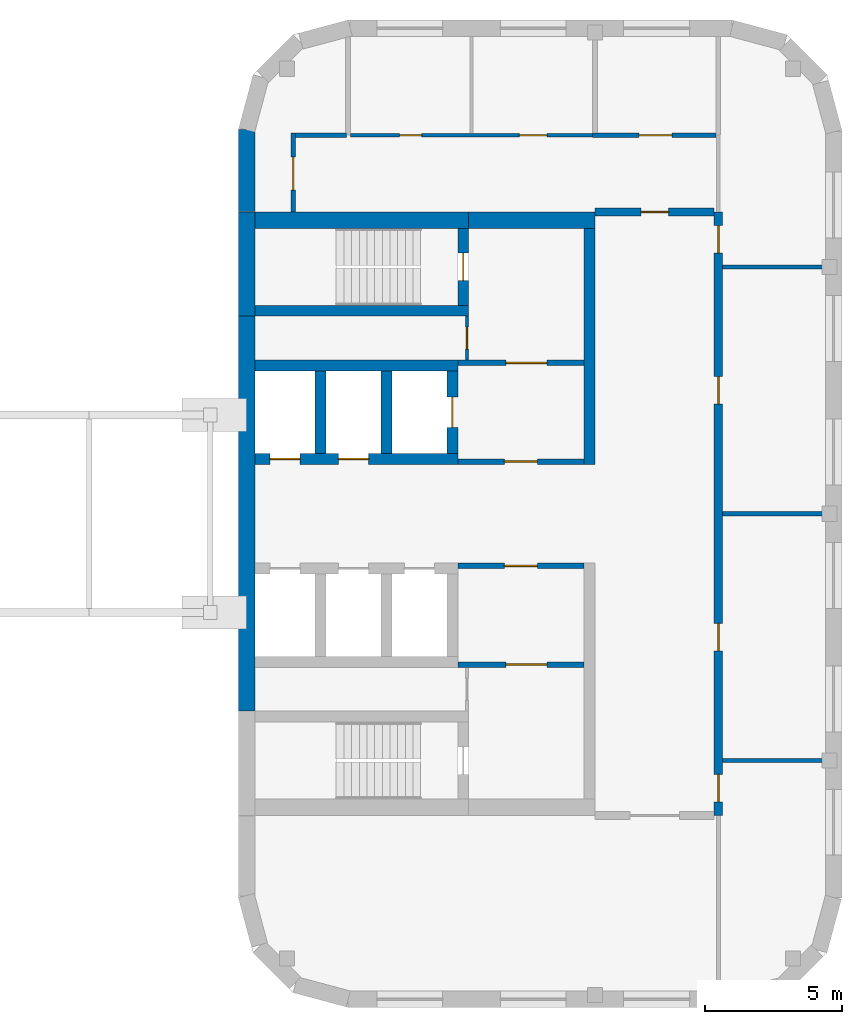
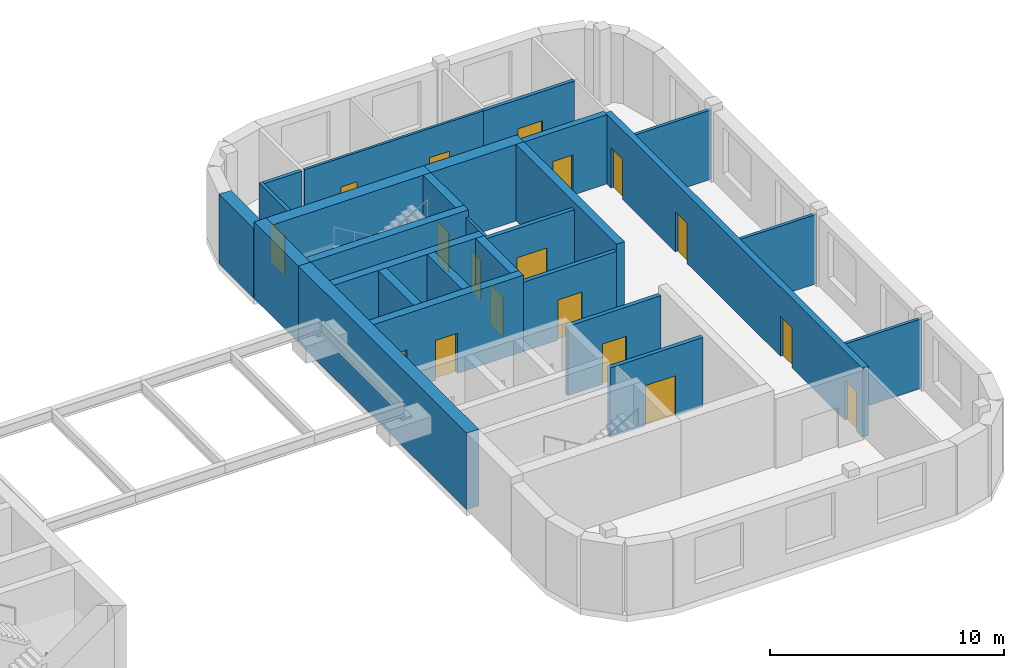
# One storey, part 8 of 14: 27 walls, 18 doors, 18 openings.
"""IFC4 building model written with IfcOpenShell, lengths in metres."""

import ifcopenshell
import ifcopenshell.guid

model = None  # the IFC model being written
_history = None  # IfcOwnerHistory: only IFC2X3 demands one
_inside = {}  # id of a spatial element -> (the spatial element, [elements in it])
_under = {}  # id of a project, library or spatial element -> (it, [spatial elements below it])
_declared = {}  # id of a project -> (the project, [libraries it declares])
_typed = {}  # id of a type object -> (the type object, [elements of that type])
_made_of = {}  # id of a material, layer set ... -> (it, [elements and type objects made of it])


def new_model(schema):
    """Start an empty IFC model of exactly this schema.

    Asked for "IFC4X3", IfcOpenShell would pick the latest addendum, in which some entities
    have other attributes; the version numbers below select the first issue.
    IFC2X3 requires an IfcOwnerHistory on every rooted entity: one is made here for all.
    """
    global model, _history
    if schema == "IFC4X3":
        model = ifcopenshell.file(schema_version=(4, 3, 0, 0))
    else:
        model = ifcopenshell.file(schema=schema)
    _inside.clear()
    _under.clear()
    _declared.clear()
    _typed.clear()
    _made_of.clear()
    _history = None
    if model.schema == "IFC2X3":
        org = make("IfcOrganization", Name="unknown")
        user = make(
            "IfcPersonAndOrganization",
            ThePerson=make("IfcPerson", FamilyName="unknown"),
            TheOrganization=org,
        )
        app = make(
            "IfcApplication",
            ApplicationDeveloper=org,
            Version="unknown",
            ApplicationFullName="unknown",
            ApplicationIdentifier="unknown",
        )
        _history = make(
            "IfcOwnerHistory",
            OwningUser=user,
            OwningApplication=app,
            ChangeAction="ADDED",
            CreationDate=0,
        )
    return model


def make(cls, **values):
    """One entity of the class cls with the attributes given. An attribute that is None is left unset."""
    return model.create_entity(
        cls, **{name: value for name, value in values.items() if value is not None}
    )


def rooted(cls, **values):
    """An entity with a GlobalId (a new one), such as an element, a storey or a relation."""
    return make(cls, GlobalId=ifcopenshell.guid.new(), OwnerHistory=_history, **values)


def si_unit(unit_type, name, prefix=None):
    """IfcSIUnit, for example si_unit("LENGTHUNIT", "METRE", prefix="MILLI")."""
    return make("IfcSIUnit", UnitType=unit_type, Prefix=prefix, Name=name)


def assignment(units):
    """IfcUnitAssignment: the units of a project."""
    return None if units is None else make("IfcUnitAssignment", Units=units)


def point(xyz):
    """IfcCartesianPoint."""
    return None if xyz is None else make("IfcCartesianPoint", Coordinates=xyz)


def direction(xyz):
    """IfcDirection."""
    return None if xyz is None else make("IfcDirection", DirectionRatios=xyz)


def frame(location, z_axis=None, x_axis=None):
    """IfcAxis2Placement3D, a coordinate frame: its origin and axes. An axis left out is left unset."""
    return make(
        "IfcAxis2Placement3D",
        Location=point(location),
        Axis=direction(z_axis),
        RefDirection=direction(x_axis),
    )


def frame_2d(location, x_axis=None):
    """IfcAxis2Placement2D, a coordinate frame in the plane: its origin and x axis."""
    return make(
        "IfcAxis2Placement2D", Location=point(location), RefDirection=direction(x_axis)
    )


def origin():
    """The frame at (0, 0, 0) with its axes left unset."""
    return frame((0.0, 0.0, 0.0))


def place(relative_to, where):
    """IfcLocalPlacement: puts the frame where relative to a parent placement (None: the world)."""
    return make(
        "IfcLocalPlacement", PlacementRelTo=relative_to, RelativePlacement=where
    )


def context(
    kind, dimensions, precision=None, world=None, true_north=None, identifier=None
):
    """IfcGeometricRepresentationContext, for example the 3D "Model" context."""
    return make(
        "IfcGeometricRepresentationContext",
        ContextIdentifier=identifier,
        ContextType=kind,
        CoordinateSpaceDimension=dimensions,
        Precision=precision,
        WorldCoordinateSystem=world,
        TrueNorth=true_north,
    )


def subcontext(parent, identifier, kind, view, scale=None):
    """IfcGeometricRepresentationSubContext, for example "Body" below "Model"."""
    return make(
        "IfcGeometricRepresentationSubContext",
        ContextIdentifier=identifier,
        ContextType=kind,
        ParentContext=parent,
        TargetScale=scale,
        TargetView=view,
    )


def project(units=None, contexts=None):
    """IfcProject with its units and contexts."""
    return rooted(
        "IfcProject",
        Name="project",
        RepresentationContexts=contexts,
        UnitsInContext=assignment(units),
    )


def spatial(cls, under=None, at=None, **own):
    """A site, building, storey or space (cls), placed at a placement, below another one or the project."""
    s = rooted(cls, ObjectPlacement=at, **own)
    if under is not None:
        _under.setdefault(under.id(), (under, []))[1].append(s)
    return s


def profile(cls, at=None, kind="AREA", **sizes):
    """A parametric profile (cls). Its sizes go by their IFC names, for example OverallWidth=200.0."""
    return make(cls, ProfileType=kind, Position=at, **sizes)


def rectangle(**sizes):
    """IfcRectangleProfileDef."""
    return profile("IfcRectangleProfileDef", **sizes)


def extrude(swept, where, along, depth):
    """IfcExtrudedAreaSolid: the profile swept, set in the frame where, extruded along a direction by depth."""
    return make(
        "IfcExtrudedAreaSolid",
        SweptArea=swept,
        Position=where,
        ExtrudedDirection=direction(along),
        Depth=depth,
    )


def shape(context_of_items, identifier, shape_type, items):
    """IfcShapeRepresentation: the items that make up one representation, for example the "Body"."""
    return make(
        "IfcShapeRepresentation",
        ContextOfItems=context_of_items,
        RepresentationIdentifier=identifier,
        RepresentationType=shape_type,
        Items=items,
    )


def material(Name=None, Category=None):
    """IfcMaterial."""
    return make("IfcMaterial", Name=Name, Category=Category)


def layer(
    of_material, thickness, ventilated=None, Name=None, Category=None, Priority=None
):
    """IfcMaterialLayer: one layer of a wall or slab, of a material (None: an air gap)."""
    return make(
        "IfcMaterialLayer",
        Material=of_material,
        LayerThickness=thickness,
        IsVentilated=ventilated,
        Name=Name,
        Category=Category,
        Priority=Priority,
    )


def layer_set(layers, Name=None):
    """IfcMaterialLayerSet."""
    return make("IfcMaterialLayerSet", MaterialLayers=layers, LayerSetName=Name)


def made_of(thing, what):
    """Note that an element or type object is made of a material, layer set ...; save() writes the relation."""
    if what is not None:
        _made_of.setdefault(what.id(), (what, []))[1].append(thing)
    return thing


def type_object(cls, material=None, **own):
    """A type object (cls), such as IfcWallType, which elements share."""
    return made_of(rooted(cls, **own), material)


def element(
    cls,
    number,
    at=None,
    inside=None,
    cuts=None,
    type_object=None,
    material=None,
    context=None,
    identifier="Body",
    shape_type=None,
    held_by="IfcProductDefinitionShape",
    body=None,
    shapes=None,
    **own,
):
    """One element of the class cls, such as IfcWall. Its Tag is "e" and its number.

    at: its placement. inside: the storey or other place that contains it. cuts: it is an
    opening in that element (IfcRelVoidsElement). A single representation is given by context,
    identifier, shape_type and body (its items); several are given by shapes. held_by: the class
    of the entity that holds the representations. save() writes the other relations.
    """
    e = rooted(cls, Tag="e%d" % number, ObjectPlacement=at, **own)
    if body is not None:
        shapes = [shape(context, identifier, shape_type, body)]
    if shapes is not None:
        e.Representation = make(held_by, Representations=shapes)
    if inside is not None:
        _inside.setdefault(inside.id(), (inside, []))[1].append(e)
    if cuts is not None:
        rooted(
            "IfcRelVoidsElement", RelatingBuildingElement=cuts, RelatedOpeningElement=e
        )
    if type_object is not None:
        _typed.setdefault(type_object.id(), (type_object, []))[1].append(e)
    return made_of(e, material)


def fill(opening, filler):
    """IfcRelFillsElement: the door or window that sits in an opening."""
    return rooted(
        "IfcRelFillsElement",
        RelatingOpeningElement=opening,
        RelatedBuildingElement=filler,
    )


def aggregate(whole, parts):
    """IfcRelAggregates: a whole, such as a stair, and the parts it consists of."""
    return rooted("IfcRelAggregates", RelatingObject=whole, RelatedObjects=parts)


def save(model, path):
    """Write the relations noted so far, then the file.

    IfcRelAggregates (storeys below a building ...), IfcRelContainedInSpatialStructure (elements
    in a storey), IfcRelDefinesByType, IfcRelAssociatesMaterial and IfcRelDeclares: one each for
    every whole, place, type object, material and project.
    """
    for whole, parts in _under.values():
        aggregate(whole, parts)
    for where, things in _inside.values():
        rooted(
            "IfcRelContainedInSpatialStructure",
            RelatedElements=things,
            RelatingStructure=where,
        )
    for kind, things in _typed.values():
        rooted("IfcRelDefinesByType", RelatedObjects=things, RelatingType=kind)
    for what, things in _made_of.values():
        rooted("IfcRelAssociatesMaterial", RelatedObjects=things, RelatingMaterial=what)
    for by, libraries in _declared.values():
        rooted("IfcRelDeclares", RelatingContext=by, RelatedDefinitions=libraries)
    model.write(path)


model = new_model("IFC4")

# Units and contexts
model_context = context("Model", 3, precision=1e-05, world=origin(), true_north=direction((0.0, 1.0)))
body_context = subcontext(model_context, "Body", "Model", "MODEL_VIEW")
ifc_project = project(units=[si_unit("LENGTHUNIT", "METRE"), si_unit("AREAUNIT", "SQUARE_METRE"), si_unit("VOLUMEUNIT", "CUBIC_METRE"), si_unit("PLANEANGLEUNIT", "RADIAN"), si_unit("MASSUNIT", "GRAM", prefix="KILO")], contexts=[model_context])

# Site, building, storey
site_placement = place(None, origin())
site = spatial("IfcSite", under=ifc_project, at=site_placement, CompositionType="ELEMENT")
building_placement = place(site_placement, origin())
building = spatial("IfcBuilding", under=site, at=building_placement, Name="Skarvind Civic Tower", CompositionType="ELEMENT")
storey_placement = place(building_placement, frame((0.0, 0.0, 105.0)))
storey = spatial("IfcBuildingStorey", under=building, at=storey_placement, Name="L24", CompositionType="ELEMENT", Elevation=105.0)

# Wall, opening, door
ifc_material_1 = material(Name="Acoustic gypsum board on steel studs", Category="steel")
ifc_layer_1 = layer(ifc_material_1, 0.175048828125)
ifc_layer_set_1 = layer_set([ifc_layer_1], Name="ACOUSTIC MEETING-ROOM PARTITION 175")
wall_type_1 = type_object("IfcWallType", Name="ACOUSTIC MEETING-ROOM PARTITION 175", PredefinedType="PARTITIONING", material=ifc_layer_set_1)
wall_1_placement = place(storey_placement, frame((129.0, 139.0, 0.0), z_axis=(0.0, 0.0, 1.0), x_axis=(0.0, 1.0, 0.0)))
wall_1 = element("IfcWall", 1, at=wall_1_placement, inside=storey, type_object=wall_type_1, Name="Partition 24.001", PredefinedType="PARTITIONING", context=body_context, shape_type="SweptSolid", body=[
    extrude(rectangle(XDim=2.887939453125, YDim=0.175048828125, at=frame_2d((1.44384765625, 0.0))), origin(), (0.0, 0.0, 1.0), 3.625),
])
opening_1_placement = place(wall_1_placement, frame((0.800048828125, 0.0, 0.0)))
opening_1 = element("IfcOpeningElement", 2, at=opening_1_placement, cuts=wall_1, Name="Opening L24-D110", PredefinedType="OPENING", context=body_context, shape_type="SweptSolid", body=[
    extrude(rectangle(XDim=1.199951171875, YDim=2.10009765625, at=frame_2d((0.60009765625, 1.050048828125))), frame((0.0, 0.097412109375, 0.0), z_axis=(0.0, -1.0, 0.0), x_axis=(1.0, 0.0, 0.0)), (0.0, 0.0, 1.0), 0.195068359375),
])
ifc_material_2 = material(Name="Timber door leaf", Category="wood")
door_type_1 = type_object("IfcDoorType", Name="DOOR 1200X2100 DOUBLE TIMBER", OperationType="NOTDEFINED", PredefinedType="DOOR", material=ifc_material_2)
door_1_placement = place(opening_1_placement, origin())
door_1 = element("IfcDoor", 3, at=door_1_placement, inside=storey, type_object=door_type_1, Name="Door L24-D110", OperationType="DOUBLE_DOOR_SINGLE_SWING", OverallHeight=2.10009765625, OverallWidth=1.199951171875, PredefinedType="DOOR", context=body_context, shape_type="SweptSolid", body=[
    extrude(rectangle(XDim=1.199951171875, YDim=2.10009765625, at=frame_2d((0.60009765625, 1.050048828125))), frame((0.0, 0.02490234375, 0.0), z_axis=(0.0, -1.0, 0.0), x_axis=(1.0, 0.0, 0.0)), (0.0, 0.0, 1.0), 0.050048828125),
])
fill(opening_1, door_1)

# Wall
wall_2_placement = place(storey_placement, frame((129.087890625, 141.800048828125, 0.0), z_axis=(0.0, 0.0, 1.0), x_axis=(1.0, 0.0, 0.0)))
element("IfcWall", 4, at=wall_2_placement, inside=storey, type_object=wall_type_1, Name="Partition 24.002", PredefinedType="PARTITIONING", context=body_context, shape_type="SweptSolid", body=[
    extrude(rectangle(XDim=1.85302734375, YDim=0.175048828125, at=frame_2d((0.926513671875, 0.0))), origin(), (0.0, 0.0, 1.0), 3.625),
])

# Wall, opening, door
wall_3_placement = place(storey_placement, frame((139.912109375, 141.800048828125, 0.0), z_axis=(0.0, 0.0, 1.0), x_axis=(1.0, 0.0, 0.0)))
wall_3 = element("IfcWall", 5, at=wall_3_placement, inside=storey, type_object=wall_type_1, Name="Partition 24.008", PredefinedType="PARTITIONING", context=body_context, shape_type="SweptSolid", body=[
    extrude(rectangle(XDim=4.5, YDim=0.175048828125, at=frame_2d((2.25, 0.0))), origin(), (0.0, 0.0, 1.0), 3.625),
])
opening_2_placement = place(wall_3_placement, frame((1.7041015625, 0.0, 0.0)))
opening_2 = element("IfcOpeningElement", 6, at=opening_2_placement, cuts=wall_3, Name="Opening L24-D109", PredefinedType="OPENING", context=body_context, shape_type="SweptSolid", body=[
    extrude(rectangle(XDim=1.199951171875, YDim=2.10009765625, at=frame_2d((0.60009765625, 1.050048828125))), frame((0.0, 0.097412109375, 0.0), z_axis=(0.0, -1.0, 0.0), x_axis=(1.0, 0.0, 0.0)), (0.0, 0.0, 1.0), 0.195068359375),
])
door_2_placement = place(opening_2_placement, origin())
door_2 = element("IfcDoor", 7, at=door_2_placement, inside=storey, type_object=door_type_1, Name="Door L24-D109", OperationType="DOUBLE_DOOR_SINGLE_SWING", OverallHeight=2.10009765625, OverallWidth=1.199951171875, PredefinedType="DOOR", context=body_context, shape_type="SweptSolid", body=[
    extrude(rectangle(XDim=1.199951171875, YDim=2.10009765625, at=frame_2d((0.60009765625, 1.050048828125))), frame((0.0, 0.02490234375, 0.0), z_axis=(0.0, -1.0, 0.0), x_axis=(1.0, 0.0, 0.0)), (0.0, 0.0, 1.0), 0.050048828125),
])
fill(opening_2, door_2)

ifc_material_3 = material(Name="Fire-rated gypsum board on steel studs", Category="steel")
ifc_layer_2 = layer(ifc_material_3, 0.300048828125)
ifc_layer_set_2 = layer_set([ifc_layer_2], Name="CORRIDOR WALL 300")
wall_type_2 = type_object("IfcWallType", Name="CORRIDOR WALL 300", PredefinedType="PARTITIONING", material=ifc_layer_set_2)
wall_4_placement = place(storey_placement, frame((144.35009765625, 139.0, 0.0), z_axis=(0.0, 0.0, 1.0), x_axis=(-1.0, 0.0, 0.0)))
wall_4 = element("IfcWall", 8, at=wall_4_placement, inside=storey, type_object=wall_type_2, Name="Partition 24.006", PredefinedType="PARTITIONING", context=body_context, shape_type="SweptSolid", body=[
    extrude(rectangle(XDim=4.35009765625, YDim=0.300048828125, at=frame_2d((2.175048828125, 0.0))), origin(), (0.0, 0.0, 1.0), 3.625),
])
opening_3_placement = place(wall_4_placement, frame((1.66650390625, 0.0, 0.0)))
opening_3 = element("IfcOpeningElement", 9, at=opening_3_placement, cuts=wall_4, Name="Opening L24-D106", PredefinedType="OPENING", context=body_context, shape_type="SweptSolid", body=[
    extrude(rectangle(XDim=1.0, YDim=2.10009765625, at=frame_2d((0.5, 1.050048828125))), frame((0.0, 0.159912109375, 0.0), z_axis=(0.0, -1.0, 0.0), x_axis=(1.0, 0.0, 0.0)), (0.0, 0.0, 1.0), 0.320068359375),
])
ifc_material_4 = material(Name="Fire-rated timber door leaf", Category="wood")
door_type_2 = type_object("IfcDoorType", Name="FD1 1000x2100", OperationType="NOTDEFINED", PredefinedType="DOOR", material=ifc_material_4)
door_3_placement = place(opening_3_placement, origin())
door_3 = element("IfcDoor", 10, at=door_3_placement, inside=storey, type_object=door_type_2, Name="Door L24-D106", OperationType="SINGLE_SWING_LEFT", OverallHeight=2.10009765625, OverallWidth=1.0, PredefinedType="DOOR", context=body_context, shape_type="SweptSolid", body=[
    extrude(rectangle(XDim=1.0, YDim=2.10009765625, at=frame_2d((0.5, 1.050048828125))), frame((0.0, 0.02490234375, 0.0), z_axis=(0.0, -1.0, 0.0), x_axis=(1.0, 0.0, 0.0)), (0.0, 0.0, 1.0), 0.050048828125),
])
fill(opening_3, door_3)

# Wall, openings, doors
wall_5_placement = place(storey_placement, frame((144.5, 139.0, 0.0), z_axis=(0.0, 0.0, 1.0), x_axis=(0.0, -1.0, 0.0)))
wall_5 = element("IfcWall", 11, at=wall_5_placement, inside=storey, type_object=wall_type_2, Name="Partition 24.014", PredefinedType="PARTITIONING", context=body_context, shape_type="SweptSolid", body=[
    extrude(rectangle(XDim=22.0, YDim=0.300048828125, at=frame_2d((11.0, 0.0))), origin(), (0.0, 0.0, 1.0), 3.625),
])
opening_4_placement = place(wall_5_placement, frame((20.50146484375, 0.0, 0.0)))
opening_4 = element("IfcOpeningElement", 12, at=opening_4_placement, cuts=wall_5, Name="Opening L24-D101", PredefinedType="OPENING", context=body_context, shape_type="SweptSolid", body=[
    extrude(rectangle(XDim=1.0, YDim=2.10009765625, at=frame_2d((0.5, 1.050048828125))), frame((0.0, 0.159912109375, 0.0), z_axis=(0.0, -1.0, 0.0), x_axis=(1.0, 0.0, 0.0)), (0.0, 0.0, 1.0), 0.320068359375),
])
opening_5_placement = place(wall_5_placement, frame((15.0, 0.0, 0.0)))
opening_5 = element("IfcOpeningElement", 13, at=opening_5_placement, cuts=wall_5, Name="Opening L24-D102", PredefinedType="OPENING", context=body_context, shape_type="SweptSolid", body=[
    extrude(rectangle(XDim=1.0, YDim=2.10009765625, at=frame_2d((0.5, 1.050048828125))), frame((0.0, 0.159912109375, 0.0), z_axis=(0.0, -1.0, 0.0), x_axis=(1.0, 0.0, 0.0)), (0.0, 0.0, 1.0), 0.320068359375),
])
opening_6_placement = place(wall_5_placement, frame((6.0, 0.0, 0.0)))
opening_6 = element("IfcOpeningElement", 14, at=opening_6_placement, cuts=wall_5, Name="Opening L24-D103", PredefinedType="OPENING", context=body_context, shape_type="SweptSolid", body=[
    extrude(rectangle(XDim=1.0, YDim=2.10009765625, at=frame_2d((0.5, 1.050048828125))), frame((0.0, 0.159912109375, 0.0), z_axis=(0.0, -1.0, 0.0), x_axis=(1.0, 0.0, 0.0)), (0.0, 0.0, 1.0), 0.320068359375),
])
opening_7_placement = place(wall_5_placement, frame((0.49853515625, 0.0, 0.0)))
opening_7 = element("IfcOpeningElement", 15, at=opening_7_placement, cuts=wall_5, Name="Opening L24-D104", PredefinedType="OPENING", context=body_context, shape_type="SweptSolid", body=[
    extrude(rectangle(XDim=1.0, YDim=2.10009765625, at=frame_2d((0.5, 1.050048828125))), frame((0.0, 0.159912109375, 0.0), z_axis=(0.0, -1.0, 0.0), x_axis=(1.0, 0.0, 0.0)), (0.0, 0.0, 1.0), 0.320068359375),
])
door_4_placement = place(opening_4_placement, origin())
door_4 = element("IfcDoor", 16, at=door_4_placement, inside=storey, type_object=door_type_2, Name="Door L24-D101", OperationType="SINGLE_SWING_LEFT", OverallHeight=2.10009765625, OverallWidth=1.0, PredefinedType="DOOR", context=body_context, shape_type="SweptSolid", body=[
    extrude(rectangle(XDim=1.0, YDim=2.10009765625, at=frame_2d((0.5, 1.050048828125))), frame((0.0, 0.02490234375, 0.0), z_axis=(0.0, -1.0, 0.0), x_axis=(1.0, 0.0, 0.0)), (0.0, 0.0, 1.0), 0.050048828125),
])
fill(opening_4, door_4)
door_5_placement = place(opening_5_placement, origin())
door_5 = element("IfcDoor", 17, at=door_5_placement, inside=storey, type_object=door_type_2, Name="Door L24-D102", OperationType="SINGLE_SWING_LEFT", OverallHeight=2.10009765625, OverallWidth=1.0, PredefinedType="DOOR", context=body_context, shape_type="SweptSolid", body=[
    extrude(rectangle(XDim=1.0, YDim=2.10009765625, at=frame_2d((0.5, 1.050048828125))), frame((0.0, 0.02490234375, 0.0), z_axis=(0.0, -1.0, 0.0), x_axis=(1.0, 0.0, 0.0)), (0.0, 0.0, 1.0), 0.050048828125),
])
fill(opening_5, door_5)
door_6_placement = place(opening_6_placement, origin())
door_6 = element("IfcDoor", 18, at=door_6_placement, inside=storey, type_object=door_type_2, Name="Door L24-D103", OperationType="SINGLE_SWING_LEFT", OverallHeight=2.10009765625, OverallWidth=1.0, PredefinedType="DOOR", context=body_context, shape_type="SweptSolid", body=[
    extrude(rectangle(XDim=1.0, YDim=2.10009765625, at=frame_2d((0.5, 1.050048828125))), frame((0.0, 0.02490234375, 0.0), z_axis=(0.0, -1.0, 0.0), x_axis=(1.0, 0.0, 0.0)), (0.0, 0.0, 1.0), 0.050048828125),
])
fill(opening_6, door_6)
door_7_placement = place(opening_7_placement, origin())
door_7 = element("IfcDoor", 19, at=door_7_placement, inside=storey, type_object=door_type_2, Name="Door L24-D104", OperationType="SINGLE_SWING_LEFT", OverallHeight=2.10009765625, OverallWidth=1.0, PredefinedType="DOOR", context=body_context, shape_type="SweptSolid", body=[
    extrude(rectangle(XDim=1.0, YDim=2.10009765625, at=frame_2d((0.5, 1.050048828125))), frame((0.0, 0.02490234375, 0.0), z_axis=(0.0, -1.0, 0.0), x_axis=(1.0, 0.0, 0.0)), (0.0, 0.0, 1.0), 0.050048828125),
])
fill(opening_7, door_7)

# Wall, opening, door
ifc_material_5 = material(Name="Fire-rated masonry partition", Category="masonry")
ifc_layer_3 = layer(ifc_material_5, 0.199951171875)
ifc_layer_set_3 = layer_set([ifc_layer_3], Name="Core enclosure wall 200")
wall_type_3 = type_object("IfcWallType", Name="Core enclosure wall 200", PredefinedType="PARTITIONING", material=ifc_layer_set_3)
wall_6_placement = place(storey_placement, frame((135.0, 129.89990234375, 0.0), z_axis=(0.0, 0.0, 1.0), x_axis=(1.0, 0.0, 0.0)))
wall_6 = element("IfcWall", 20, at=wall_6_placement, inside=storey, type_object=wall_type_3, Name="Core wall CA", PredefinedType="PARTITIONING", context=body_context, shape_type="SweptSolid", body=[
    extrude(rectangle(XDim=4.60009765625, YDim=0.199951171875, at=frame_2d((2.300048828125, 0.0))), origin(), (0.0, 0.0, 1.0), 3.625),
])
opening_8_placement = place(wall_6_placement, frame((1.699951171875, 0.0, 0.0)))
opening_8 = element("IfcOpeningElement", 21, at=opening_8_placement, cuts=wall_6, Name="Opening D-L24-CA-06", PredefinedType="OPENING", context=body_context, shape_type="SweptSolid", body=[
    extrude(rectangle(XDim=1.199951171875, YDim=2.10009765625, at=frame_2d((0.60009765625, 1.050048828125))), frame((0.0, 0.10986328125, 0.0), z_axis=(0.0, -1.0, 0.0), x_axis=(1.0, 0.0, 0.0)), (0.0, 0.0, 1.0), 0.219970703125),
])
ifc_material_6 = material(Name="Fire-rated steel door", Category="steel")
door_type_3 = type_object("IfcDoorType", Name="Core lobby door 1200", OperationType="NOTDEFINED", PredefinedType="DOOR", material=ifc_material_6)
door_8_placement = place(opening_8_placement, origin())
door_8 = element("IfcDoor", 22, at=door_8_placement, inside=storey, type_object=door_type_3, Name="Fire door", OperationType="DOUBLE_DOOR_SINGLE_SWING", OverallHeight=2.10009765625, OverallWidth=1.199951171875, PredefinedType="DOOR", context=body_context, shape_type="SweptSolid", body=[
    extrude(rectangle(XDim=1.199951171875, YDim=2.10009765625, at=frame_2d((0.60009765625, 1.050048828125))), frame((0.0, 0.02490234375, 0.0), z_axis=(0.0, -1.0, 0.0), x_axis=(1.0, 0.0, 0.0)), (0.0, 0.0, 1.0), 0.050048828125),
])
fill(opening_8, door_8)

wall_7_placement = place(storey_placement, frame((135.0, 133.5, 0.0), z_axis=(0.0, 0.0, 1.0), x_axis=(1.0, 0.0, 0.0)))
wall_7 = element("IfcWall", 23, at=wall_7_placement, inside=storey, type_object=wall_type_3, Name="Core wall CA", PredefinedType="PARTITIONING", context=body_context, shape_type="SweptSolid", body=[
    extrude(rectangle(XDim=4.60009765625, YDim=0.199951171875, at=frame_2d((2.300048828125, 0.0))), origin(), (0.0, 0.0, 1.0), 3.625),
])
opening_9_placement = place(wall_7_placement, frame((1.75, 0.0, 0.0)))
opening_9 = element("IfcOpeningElement", 24, at=opening_9_placement, cuts=wall_7, Name="Opening D-L24-CA-07", PredefinedType="OPENING", context=body_context, shape_type="SweptSolid", body=[
    extrude(rectangle(XDim=1.5, YDim=2.10009765625, at=frame_2d((0.75, 1.050048828125))), frame((0.0, 0.10986328125, 0.0), z_axis=(0.0, -1.0, 0.0), x_axis=(1.0, 0.0, 0.0)), (0.0, 0.0, 1.0), 0.219970703125),
])
door_type_4 = type_object("IfcDoorType", Name="Fire door 1500", OperationType="NOTDEFINED", PredefinedType="DOOR", material=ifc_material_6)
door_9_placement = place(opening_9_placement, origin())
door_9 = element("IfcDoor", 25, at=door_9_placement, inside=storey, type_object=door_type_4, Name="Fire door", OperationType="DOUBLE_DOOR_SINGLE_SWING", OverallHeight=2.10009765625, OverallWidth=1.5, PredefinedType="DOOR", context=body_context, shape_type="SweptSolid", body=[
    extrude(rectangle(XDim=1.5, YDim=2.10009765625, at=frame_2d((0.75, 1.050048828125))), frame((0.0, 0.02490234375, 0.0), z_axis=(0.0, -1.0, 0.0), x_axis=(1.0, 0.0, 0.0)), (0.0, 0.0, 1.0), 0.050048828125),
])
fill(opening_9, door_9)

wall_8_placement = place(storey_placement, frame((139.60009765625, 126.10009765625, 0.0), z_axis=(0.0, 0.0, 1.0), x_axis=(-1.0, 0.0, 0.0)))
wall_8 = element("IfcWall", 26, at=wall_8_placement, inside=storey, type_object=wall_type_3, Name="Core wall CA", PredefinedType="PARTITIONING", context=body_context, shape_type="SweptSolid", body=[
    extrude(rectangle(XDim=4.60009765625, YDim=0.199951171875, at=frame_2d((2.300048828125, 0.0))), origin(), (0.0, 0.0, 1.0), 3.625),
])
opening_10_placement = place(wall_8_placement, frame((1.699951171875, 0.0, 0.0)))
opening_10 = element("IfcOpeningElement", 27, at=opening_10_placement, cuts=wall_8, Name="Opening D-L24-CA-10", PredefinedType="OPENING", context=body_context, shape_type="SweptSolid", body=[
    extrude(rectangle(XDim=1.199951171875, YDim=2.10009765625, at=frame_2d((0.60009765625, 1.050048828125))), frame((0.0, 0.10986328125, 0.0), z_axis=(0.0, -1.0, 0.0), x_axis=(1.0, 0.0, 0.0)), (0.0, 0.0, 1.0), 0.219970703125),
])
door_10_placement = place(opening_10_placement, origin())
door_10 = element("IfcDoor", 28, at=door_10_placement, inside=storey, type_object=door_type_3, Name="Fire door", OperationType="DOUBLE_DOOR_SINGLE_SWING", OverallHeight=2.10009765625, OverallWidth=1.199951171875, PredefinedType="DOOR", context=body_context, shape_type="SweptSolid", body=[
    extrude(rectangle(XDim=1.199951171875, YDim=2.10009765625, at=frame_2d((0.60009765625, 1.050048828125))), frame((0.0, 0.02490234375, 0.0), z_axis=(0.0, -1.0, 0.0), x_axis=(1.0, 0.0, 0.0)), (0.0, 0.0, 1.0), 0.050048828125),
])
fill(opening_10, door_10)

wall_9_placement = place(storey_placement, frame((139.60009765625, 122.5, 0.0), z_axis=(0.0, 0.0, 1.0), x_axis=(-1.0, 0.0, 0.0)))
wall_9 = element("IfcWall", 29, at=wall_9_placement, inside=storey, type_object=wall_type_3, Name="Core wall CA", PredefinedType="PARTITIONING", context=body_context, shape_type="SweptSolid", body=[
    extrude(rectangle(XDim=4.60009765625, YDim=0.199951171875, at=frame_2d((2.300048828125, 0.0))), origin(), (0.0, 0.0, 1.0), 3.625),
])
opening_11_placement = place(wall_9_placement, frame((1.35009765625, 0.0, 0.0)))
opening_11 = element("IfcOpeningElement", 30, at=opening_11_placement, cuts=wall_9, Name="Opening D-L24-CA-11", PredefinedType="OPENING", context=body_context, shape_type="SweptSolid", body=[
    extrude(rectangle(XDim=1.5, YDim=2.10009765625, at=frame_2d((0.75, 1.050048828125))), frame((0.0, 0.10986328125, 0.0), z_axis=(0.0, -1.0, 0.0), x_axis=(1.0, 0.0, 0.0)), (0.0, 0.0, 1.0), 0.219970703125),
])
door_11_placement = place(opening_11_placement, origin())
door_11 = element("IfcDoor", 31, at=door_11_placement, inside=storey, type_object=door_type_4, Name="Fire door", OperationType="DOUBLE_DOOR_SINGLE_SWING", OverallHeight=2.10009765625, OverallWidth=1.5, PredefinedType="DOOR", context=body_context, shape_type="SweptSolid", body=[
    extrude(rectangle(XDim=1.5, YDim=2.10009765625, at=frame_2d((0.75, 1.050048828125))), frame((0.0, 0.02490234375, 0.0), z_axis=(0.0, -1.0, 0.0), x_axis=(1.0, 0.0, 0.0)), (0.0, 0.0, 1.0), 0.050048828125),
])
fill(opening_11, door_11)

# Wall
ifc_material_7 = material(Name="Concrete C80", Category="concrete")
ifc_layer_4 = layer(ifc_material_7, 0.39990234375)
ifc_layer_set_4 = layer_set([ifc_layer_4], Name="Core wall 400 C80")
wall_type_4 = type_object("IfcWallType", Name="Core wall 400 C80", PredefinedType="SHEAR", material=ifc_layer_set_4)
wall_10_placement = place(storey_placement, frame((127.60009765625, 135.39990234375, 0.0), z_axis=(0.0, 0.0, 1.0), x_axis=(1.0, 0.0, 0.0)))
element("IfcWall", 32, at=wall_10_placement, inside=storey, type_object=wall_type_4, Name="Core wall CA north stair inner L24", PredefinedType="SHEAR", context=body_context, shape_type="SweptSolid", body=[
    extrude(rectangle(XDim=7.7998046875, YDim=0.39990234375, at=frame_2d((3.89990234375, 0.0))), origin(), (0.0, 0.0, 1.0), 4.0),
])

# Wall, opening, door
wall_11_placement = place(storey_placement, frame((135.199951171875, 135.60009765625, 0.0), z_axis=(0.0, 0.0, 1.0), x_axis=(0.0, 1.0, 0.0)))
wall_11 = element("IfcWall", 33, at=wall_11_placement, inside=storey, type_object=wall_type_4, Name="Core wall CA north stair end L24", PredefinedType="SHEAR", context=body_context, shape_type="SweptSolid", body=[
    extrude(rectangle(XDim=2.7998046875, YDim=0.39990234375, at=frame_2d((1.39990234375, 0.0))), origin(), (0.0, 0.0, 1.0), 4.0),
])
opening_12_placement = place(wall_11_placement, frame((0.89990234375, 0.0, 0.0)))
opening_12 = element("IfcOpeningElement", 34, at=opening_12_placement, cuts=wall_11, Name="Opening D-L24-CA-08", PredefinedType="OPENING", context=body_context, shape_type="SweptSolid", body=[
    extrude(rectangle(XDim=1.0, YDim=2.10009765625, at=frame_2d((0.5, 1.050048828125))), frame((0.0, 0.2099609375, 0.0), z_axis=(0.0, -1.0, 0.0), x_axis=(1.0, 0.0, 0.0)), (0.0, 0.0, 1.0), 0.419921875),
])
door_type_5 = type_object("IfcDoorType", Name="Fire door 1000", OperationType="NOTDEFINED", PredefinedType="DOOR", material=ifc_material_6)
door_12_placement = place(opening_12_placement, origin())
door_12 = element("IfcDoor", 35, at=door_12_placement, inside=storey, type_object=door_type_5, Name="Fire door", OperationType="SINGLE_SWING_LEFT", OverallHeight=2.10009765625, OverallWidth=1.0, PredefinedType="DOOR", context=body_context, shape_type="SweptSolid", body=[
    extrude(rectangle(XDim=1.0, YDim=2.10009765625, at=frame_2d((0.5, 1.050048828125))), frame((0.0, 0.02490234375, 0.0), z_axis=(0.0, -1.0, 0.0), x_axis=(1.0, 0.0, 0.0)), (0.0, 0.0, 1.0), 0.050048828125),
])
fill(opening_12, door_12)

# Wall, openings, doors
wall_12_placement = place(storey_placement, frame((127.60009765625, 130.0, 0.0), z_axis=(0.0, 0.0, 1.0), x_axis=(1.0, 0.0, 0.0)))
wall_12 = element("IfcWall", 36, at=wall_12_placement, inside=storey, type_object=wall_type_4, Name="Core wall CA north lift row front L24", PredefinedType="SHEAR", context=body_context, shape_type="SweptSolid", body=[
    extrude(rectangle(XDim=7.39990234375, YDim=0.39990234375, at=frame_2d((3.699951171875, 0.0))), origin(), (0.0, 0.0, 1.0), 4.0),
])
opening_13_placement = place(wall_12_placement, frame((0.550048828125, 0.0, 0.0)))
opening_13 = element("IfcOpeningElement", 37, at=opening_13_placement, cuts=wall_12, Name="Opening LD26301", PredefinedType="OPENING", context=body_context, shape_type="SweptSolid", body=[
    extrude(rectangle(XDim=1.10009765625, YDim=2.10009765625, at=frame_2d((0.550048828125, 1.050048828125))), frame((0.0, 0.2099609375, 0.0), z_axis=(0.0, -1.0, 0.0), x_axis=(1.0, 0.0, 0.0)), (0.0, 0.0, 1.0), 0.419921875),
])
opening_14_placement = place(wall_12_placement, frame((3.050048828125, 0.0, 0.0)))
opening_14 = element("IfcOpeningElement", 38, at=opening_14_placement, cuts=wall_12, Name="Opening LD26302", PredefinedType="OPENING", context=body_context, shape_type="SweptSolid", body=[
    extrude(rectangle(XDim=1.10009765625, YDim=2.10009765625, at=frame_2d((0.550048828125, 1.050048828125))), frame((0.0, 0.2099609375, 0.0), z_axis=(0.0, -1.0, 0.0), x_axis=(1.0, 0.0, 0.0)), (0.0, 0.0, 1.0), 0.419921875),
])
ifc_material_8 = material(Name="Stainless steel landing door", Category="steel")
door_type_6 = type_object("IfcDoorType", Name="Lift landing door 1100", OperationType="DOUBLE_DOOR_SLIDING", PredefinedType="DOOR", material=ifc_material_8)
door_13_placement = place(opening_13_placement, origin())
door_13 = element("IfcDoor", 39, at=door_13_placement, inside=storey, type_object=door_type_6, Name="Lift landing door", OperationType="DOUBLE_DOOR_SLIDING", OverallHeight=2.10009765625, OverallWidth=1.10009765625, PredefinedType="DOOR", context=body_context, shape_type="SweptSolid", body=[
    extrude(rectangle(XDim=1.10009765625, YDim=2.10009765625, at=frame_2d((0.550048828125, 1.050048828125))), frame((0.0, 0.02490234375, 0.0), z_axis=(0.0, -1.0, 0.0), x_axis=(1.0, 0.0, 0.0)), (0.0, 0.0, 1.0), 0.050048828125),
])
fill(opening_13, door_13)
door_14_placement = place(opening_14_placement, origin())
door_14 = element("IfcDoor", 40, at=door_14_placement, inside=storey, type_object=door_type_6, Name="Lift landing door", OperationType="DOUBLE_DOOR_SLIDING", OverallHeight=2.10009765625, OverallWidth=1.10009765625, PredefinedType="DOOR", context=body_context, shape_type="SweptSolid", body=[
    extrude(rectangle(XDim=1.10009765625, YDim=2.10009765625, at=frame_2d((0.550048828125, 1.050048828125))), frame((0.0, 0.02490234375, 0.0), z_axis=(0.0, -1.0, 0.0), x_axis=(1.0, 0.0, 0.0)), (0.0, 0.0, 1.0), 0.050048828125),
])
fill(opening_14, door_14)

# Walls
wall_13_placement = place(storey_placement, frame((127.60009765625, 133.39990234375, 0.0), z_axis=(0.0, 0.0, 1.0), x_axis=(1.0, 0.0, 0.0)))
element("IfcWall", 41, at=wall_13_placement, inside=storey, type_object=wall_type_4, Name="Core wall CA north lift row back L24", PredefinedType="SHEAR", context=body_context, shape_type="SweptSolid", body=[
    extrude(rectangle(XDim=7.39990234375, YDim=0.39990234375, at=frame_2d((3.699951171875, 0.0))), origin(), (0.0, 0.0, 1.0), 4.0),
])
for number, where, z_axis, x_axis, name in (
    (42, (130.0, 130.199951171875, 0.0), (0.0, 0.0, 1.0), (0.0, 1.0, 0.0), "Core wall CA north lift row division 1 L24"),
    (43, (132.39990234375, 130.199951171875, 0.0), (0.0, 0.0, 1.0), (0.0, 1.0, 0.0), "Core wall CA north lift row division 2 L24"),
):
    element("IfcWall", number, at=place(storey_placement, frame(where, z_axis=z_axis, x_axis=x_axis)), inside=storey, type_object=wall_type_4, Name=name, PredefinedType="SHEAR", context=body_context, shape_type="SweptSolid", body=[
        extrude(rectangle(XDim=3.0, YDim=0.39990234375, at=frame_2d((1.5, 0.0))), origin(), (0.0, 0.0, 1.0), 4.0),
    ])

# Wall, opening, door
wall_14_placement = place(storey_placement, frame((134.800048828125, 130.199951171875, 0.0), z_axis=(0.0, 0.0, 1.0), x_axis=(0.0, 1.0, 0.0)))
wall_14 = element("IfcWall", 44, at=wall_14_placement, inside=storey, type_object=wall_type_4, Name="Core wall CA north lift row division 3 L24", PredefinedType="SHEAR", context=body_context, shape_type="SweptSolid", body=[
    extrude(rectangle(XDim=3.0, YDim=0.39990234375, at=frame_2d((1.5, 0.0))), origin(), (0.0, 0.0, 1.0), 4.0),
])
opening_15_placement = place(wall_14_placement, frame((0.949951171875, 0.0, 0.0)))
opening_15 = element("IfcOpeningElement", 45, at=opening_15_placement, cuts=wall_14, Name="Opening LD26303", PredefinedType="OPENING", context=body_context, shape_type="SweptSolid", body=[
    extrude(rectangle(XDim=1.10009765625, YDim=2.10009765625, at=frame_2d((0.550048828125, 1.050048828125))), frame((0.0, 0.2099609375, 0.0), z_axis=(0.0, -1.0, 0.0), x_axis=(1.0, 0.0, 0.0)), (0.0, 0.0, 1.0), 0.419921875),
])
door_15_placement = place(opening_15_placement, origin())
door_15 = element("IfcDoor", 46, at=door_15_placement, inside=storey, type_object=door_type_6, Name="Lift landing door", OperationType="DOUBLE_DOOR_SLIDING", OverallHeight=2.10009765625, OverallWidth=1.10009765625, PredefinedType="DOOR", context=body_context, shape_type="SweptSolid", body=[
    extrude(rectangle(XDim=1.10009765625, YDim=2.10009765625, at=frame_2d((0.550048828125, 1.050048828125))), frame((0.0, 0.02490234375, 0.0), z_axis=(0.0, -1.0, 0.0), x_axis=(1.0, 0.0, 0.0)), (0.0, 0.0, 1.0), 0.050048828125),
])
fill(opening_15, door_15)

# Walls
wall_15_placement = place(storey_placement, frame((139.800048828125, 129.800048828125, 0.0), z_axis=(0.0, 0.0, 1.0), x_axis=(0.0, 1.0, 0.0)))
element("IfcWall", 47, at=wall_15_placement, inside=storey, type_object=wall_type_4, Name="Core wall CA north inner face L24", PredefinedType="SHEAR", context=body_context, shape_type="SweptSolid", body=[
    extrude(rectangle(XDim=8.599853515625, YDim=0.39990234375, at=frame_2d((4.2998046875, 0.0))), origin(), (0.0, 0.0, 1.0), 4.0),
])
ifc_layer_5 = layer(ifc_material_7, 0.60009765625)
ifc_layer_set_5 = layer_set([ifc_layer_5], Name="Core wall 600 C80")
wall_type_5 = type_object("IfcWallType", Name="Core wall 600 C80", PredefinedType="SHEAR", material=ifc_layer_set_5)
wall_16_placement = place(storey_placement, frame((127.300048828125, 120.800048828125, 0.0), z_axis=(0.0, 0.0, 1.0), x_axis=(0.0, 1.0, 0.0)))
element("IfcWall", 48, at=wall_16_placement, inside=storey, type_object=wall_type_5, Name="Core wall CA tip between the stairs L24", PredefinedType="SHEAR", context=body_context, shape_type="SweptSolid", body=[
    extrude(rectangle(XDim=14.39990234375, YDim=0.60009765625, at=frame_2d((7.199951171875, 0.0))), origin(), (0.0, 0.0, 1.0), 4.0),
])
wall_17_placement = place(storey_placement, frame((127.300048828125, 135.199951171875, 0.0), z_axis=(0.0, 0.0, 1.0), x_axis=(0.0, 1.0, 0.0)))
element("IfcWall", 49, at=wall_17_placement, inside=storey, type_object=wall_type_5, Name="Core wall CA tip at the north stair L24", PredefinedType="SHEAR", context=body_context, shape_type="SweptSolid", body=[
    extrude(rectangle(XDim=3.800048828125, YDim=0.60009765625, at=frame_2d((1.89990234375, 0.0))), origin(), (0.0, 0.0, 1.0), 4.0),
])
wall_18_placement = place(storey_placement, frame((127.60009765625, 138.699951171875, 0.0), z_axis=(0.0, 0.0, 1.0), x_axis=(1.0, 0.0, 0.0)))
element("IfcWall", 50, at=wall_18_placement, inside=storey, type_object=wall_type_5, Name="Core wall CA north side at the stair L24", PredefinedType="SHEAR", context=body_context, shape_type="SweptSolid", body=[
    extrude(rectangle(XDim=7.7998046875, YDim=0.60009765625, at=frame_2d((3.89990234375, 0.0))), origin(), (0.0, 0.0, 1.0), 4.0),
])
wall_19_placement = place(storey_placement, frame((135.39990234375, 138.699951171875, 0.0), z_axis=(0.0, 0.0, 1.0), x_axis=(1.0, 0.0, 0.0)))
element("IfcWall", 51, at=wall_19_placement, inside=storey, type_object=wall_type_5, Name="Core wall CA north side L24", PredefinedType="SHEAR", context=body_context, shape_type="SweptSolid", body=[
    extrude(rectangle(XDim=4.60009765625, YDim=0.60009765625, at=frame_2d((2.300048828125, 0.0))), origin(), (0.0, 0.0, 1.0), 4.0),
])
ifc_material_9 = material(Name="Plasterboard partition on steel studs", Category="steel")
ifc_layer_6 = layer(ifc_material_9, 0.14990234375)
ifc_layer_set_6 = layer_set([ifc_layer_6], Name="PARTITION 150")
wall_type_6 = type_object("IfcWallType", Name="PARTITION 150", PredefinedType="PARTITIONING", material=ifc_layer_set_6)
for number, where, z_axis, x_axis, name in (
    (52, (144.64990234375, 119.0, 0.0), (0.0, 0.0, 1.0), (1.0, 0.0, 0.0), "Partition 24.011"),
    (53, (144.64990234375, 128.0, 0.0), (0.0, 0.0, 1.0), (1.0, 0.0, 0.0), "Partition 24.012"),
    (54, (144.64990234375, 137.0, 0.0), (0.0, 0.0, 1.0), (1.0, 0.0, 0.0), "Partition 24.013"),
):
    element("IfcWall", number, at=place(storey_placement, frame(where, z_axis=z_axis, x_axis=x_axis)), inside=storey, type_object=wall_type_6, Name=name, PredefinedType="PARTITIONING", context=body_context, shape_type="SweptSolid", body=[
        extrude(rectangle(XDim=3.75, YDim=0.14990234375, at=frame_2d((1.875, 0.0))), origin(), (0.0, 0.0, 1.0), 3.625),
    ])

# Wall, opening, door
ifc_layer_7 = layer(ifc_material_5, 0.125)
ifc_layer_set_7 = layer_set([ifc_layer_7], Name="Riser wall 125")
wall_type_7 = type_object("IfcWallType", Name="Riser wall 125", PredefinedType="PARTITIONING", material=ifc_layer_set_7)
wall_20_placement = place(storey_placement, frame((135.33740234375, 135.199951171875, 0.0), z_axis=(0.0, 0.0, 1.0), x_axis=(0.0, -1.0, 0.0)))
wall_20 = element("IfcWall", 55, at=wall_20_placement, inside=storey, type_object=wall_type_7, Name="Core wall CA", PredefinedType="PARTITIONING", context=body_context, shape_type="SweptSolid", body=[
    extrude(rectangle(XDim=1.599853515625, YDim=0.125, at=frame_2d((0.7998046875, 0.0))), origin(), (0.0, 0.0, 1.0), 3.625),
])
opening_16_placement = place(wall_20_placement, frame((0.39990234375, 0.0, 0.0)))
opening_16 = element("IfcOpeningElement", 56, at=opening_16_placement, cuts=wall_20, Name="Opening D-L24-CA-09", PredefinedType="OPENING", context=body_context, shape_type="SweptSolid", body=[
    extrude(rectangle(XDim=0.800048828125, YDim=2.10009765625, at=frame_2d((0.39990234375, 1.050048828125))), frame((0.0, 0.072509765625, 0.0), z_axis=(0.0, -1.0, 0.0), x_axis=(1.0, 0.0, 0.0)), (0.0, 0.0, 1.0), 0.14501953125),
])
door_type_7 = type_object("IfcDoorType", Name="Core riser door 800", OperationType="NOTDEFINED", PredefinedType="DOOR", material=ifc_material_6)
door_16_placement = place(opening_16_placement, origin())
door_16 = element("IfcDoor", 57, at=door_16_placement, inside=storey, type_object=door_type_7, Name="Riser door", OperationType="SINGLE_SWING_RIGHT", OverallHeight=2.10009765625, OverallWidth=0.800048828125, PredefinedType="DOOR", context=body_context, shape_type="SweptSolid", body=[
    extrude(rectangle(XDim=0.800048828125, YDim=2.10009765625, at=frame_2d((0.39990234375, 1.050048828125))), frame((0.0, 0.02490234375, 0.0), z_axis=(0.0, -1.0, 0.0), x_axis=(1.0, 0.0, 0.0)), (0.0, 0.0, 1.0), 0.050048828125),
])
fill(opening_16, door_16)

# Wall, openings, doors
ifc_material_10 = material(Name="Moisture-resistant gypsum board on steel studs", Category="steel")
ifc_layer_8 = layer(ifc_material_10, 0.125)
ifc_layer_set_8 = layer_set([ifc_layer_8], Name="WC PARTITION 125")
wall_type_8 = type_object("IfcWallType", Name="WC PARTITION 125", PredefinedType="PARTITIONING", material=ifc_layer_set_8)
wall_21_placement = place(storey_placement, frame((131.0849609375, 141.800048828125, 0.0), z_axis=(0.0, 0.0, 1.0), x_axis=(1.0, 0.0, 0.0)))
wall_21 = element("IfcWall", 58, at=wall_21_placement, inside=storey, type_object=wall_type_8, Name="Partition 24.003", PredefinedType="PARTITIONING", context=body_context, shape_type="SweptSolid", body=[
    extrude(rectangle(XDim=8.91796875, YDim=0.125, at=frame_2d((4.458984375, 0.0))), origin(), (0.0, 0.0, 1.0), 3.625),
])
opening_17_placement = place(wall_21_placement, frame((6.1650390625, 0.0, 0.0)))
opening_17 = element("IfcOpeningElement", 59, at=opening_17_placement, cuts=wall_21, Name="Opening L24-D107", PredefinedType="OPENING", context=body_context, shape_type="SweptSolid", body=[
    extrude(rectangle(XDim=1.0, YDim=2.10009765625, at=frame_2d((0.5, 1.050048828125))), frame((0.0, 0.072509765625, 0.0), z_axis=(0.0, -1.0, 0.0), x_axis=(1.0, 0.0, 0.0)), (0.0, 0.0, 1.0), 0.14501953125),
])
opening_18_placement = place(wall_21_placement, frame((1.797607421875, 0.0, 0.0)))
opening_18 = element("IfcOpeningElement", 60, at=opening_18_placement, cuts=wall_21, Name="Opening L24-D108", PredefinedType="OPENING", context=body_context, shape_type="SweptSolid", body=[
    extrude(rectangle(XDim=0.800048828125, YDim=2.10009765625, at=frame_2d((0.39990234375, 1.050048828125))), frame((0.0, 0.072509765625, 0.0), z_axis=(0.0, -1.0, 0.0), x_axis=(1.0, 0.0, 0.0)), (0.0, 0.0, 1.0), 0.14501953125),
])
door_type_8 = type_object("IfcDoorType", Name="D1 1000x2100", OperationType="NOTDEFINED", PredefinedType="DOOR", material=ifc_material_2)
door_17_placement = place(opening_17_placement, origin())
door_17 = element("IfcDoor", 61, at=door_17_placement, inside=storey, type_object=door_type_8, Name="Door L24-D107", OperationType="SINGLE_SWING_RIGHT", OverallHeight=2.10009765625, OverallWidth=1.0, PredefinedType="DOOR", context=body_context, shape_type="SweptSolid", body=[
    extrude(rectangle(XDim=1.0, YDim=2.10009765625, at=frame_2d((0.5, 1.050048828125))), frame((0.0, 0.02490234375, 0.0), z_axis=(0.0, -1.0, 0.0), x_axis=(1.0, 0.0, 0.0)), (0.0, 0.0, 1.0), 0.050048828125),
])
fill(opening_17, door_17)
door_type_9 = type_object("IfcDoorType", Name="DOOR 800X2100 TIMBER", OperationType="NOTDEFINED", PredefinedType="DOOR", material=ifc_material_2)
door_18_placement = place(opening_18_placement, origin())
door_18 = element("IfcDoor", 62, at=door_18_placement, inside=storey, type_object=door_type_9, Name="Door L24-D108", OperationType="SINGLE_SWING_LEFT", OverallHeight=2.10009765625, OverallWidth=0.800048828125, PredefinedType="DOOR", context=body_context, shape_type="SweptSolid", body=[
    extrude(rectangle(XDim=0.800048828125, YDim=2.10009765625, at=frame_2d((0.39990234375, 1.050048828125))), frame((0.0, 0.02490234375, 0.0), z_axis=(0.0, -1.0, 0.0), x_axis=(1.0, 0.0, 0.0)), (0.0, 0.0, 1.0), 0.050048828125),
])
fill(opening_18, door_18)

# Wall
ifc_material_11 = material(Name="Limestone masonry cladding on insulated backing", Category="masonry")
ifc_layer_9 = layer(ifc_material_11, 0.60009765625)
ifc_layer_set_9 = layer_set([ifc_layer_9], Name="WX1 STONE FACADE WALL 600")
wall_type_9 = type_object("IfcWallType", Name="WX1 STONE FACADE WALL 600", PredefinedType="SOLIDWALL", material=ifc_layer_set_9)
wall_22_placement = place(storey_placement, frame((127.300048828125, 139.02001953125, 0.0), z_axis=(0.0, 0.0, 1.0), x_axis=(0.0, 1.0, 0.0)))
element("IfcWall", 63, at=wall_22_placement, inside=storey, type_object=wall_type_9, Name="STONE FACADE WALL", PredefinedType="SOLIDWALL", context=body_context, shape_type="SweptSolid", body=[
    extrude(rectangle(XDim=2.97998046875, YDim=0.60009765625, at=frame_2d((1.489990234375, 0.0))), origin(), (0.0, 0.0, 1.0), 3.625),
])

save(model, "model.ifc")
